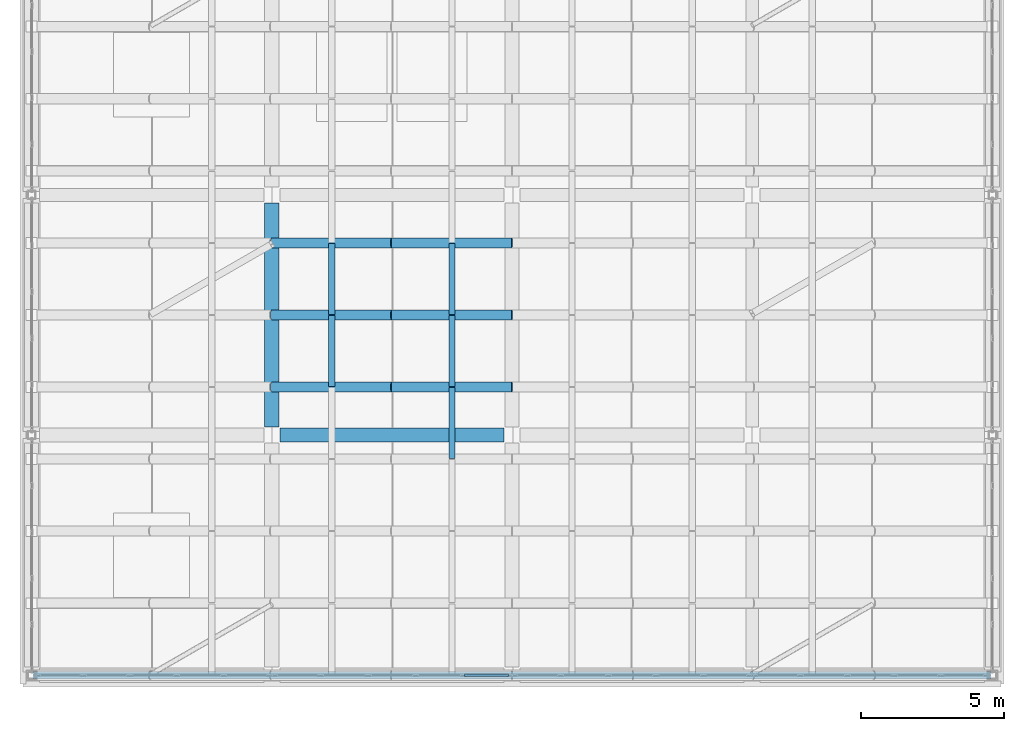
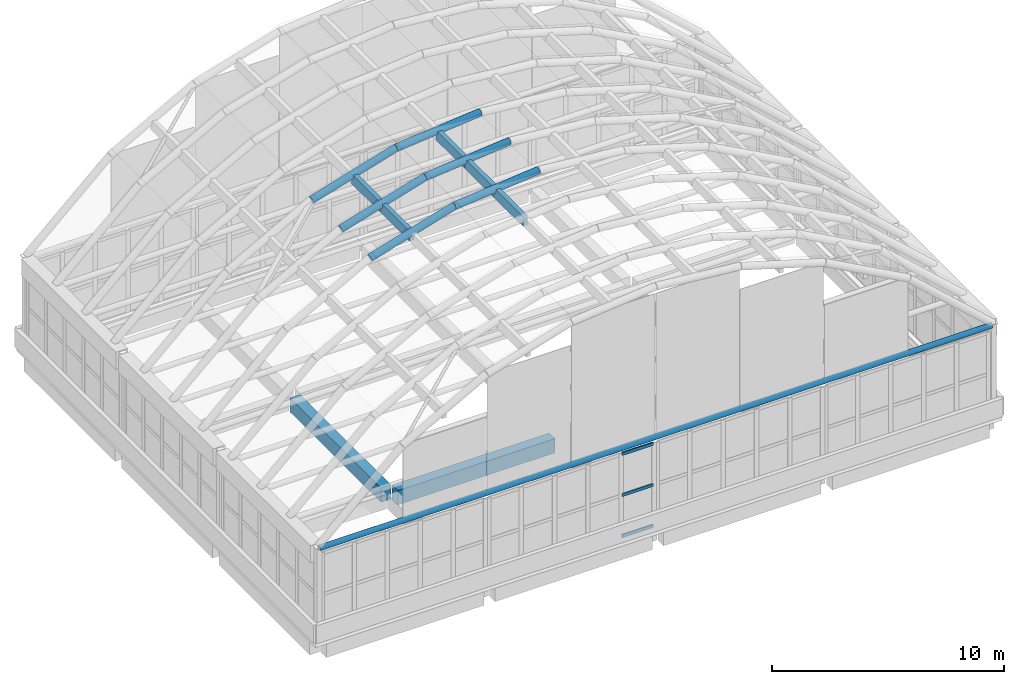
# One storey, part 6 of 26: 9 beams, 8 members, 1 element without a shape of its own.
"""IFC4 building model written with IfcOpenShell, lengths in metres."""

from ifc_helpers import new_model, si_unit, direction, frame, origin, origin_2d, place, context, subcontext, project, spatial, rectangle, hollow_rectangle, hollow_circle, extrude, material, layer, layer_set, material_profile, profile_set, type_object, element, aggregate, save


model = new_model("IFC4")

# Units and contexts
model_context = context("Model", 3, precision=1e-05, world=origin(), true_north=direction((0.0, 1.0)))
body_context = subcontext(model_context, "Body", "Model", "MODEL_VIEW")
ifc_project = project(units=[si_unit("LENGTHUNIT", "METRE"), si_unit("AREAUNIT", "SQUARE_METRE"), si_unit("VOLUMEUNIT", "CUBIC_METRE"), si_unit("PLANEANGLEUNIT", "RADIAN"), si_unit("MASSUNIT", "GRAM", prefix="KILO")], contexts=[model_context])

# Site, building, storey
site_placement = place(None, origin())
site = spatial("IfcSite", under=ifc_project, at=site_placement, CompositionType="ELEMENT")
building_placement = place(site_placement, origin())
building = spatial("IfcBuilding", under=site, at=building_placement, Name="Xazarin Passage Department Store", CompositionType="ELEMENT")
storey_placement = place(building_placement, frame((0.0, 0.0, 36.89990234375)))
storey = spatial("IfcBuildingStorey", under=building, at=storey_placement, Name="RF", CompositionType="ELEMENT", Elevation=36.89990234375)

# Curtain wall, members
ifc_material_1 = material(Name="Bronze anodised aluminium", Category="aluminium")
ifc_layer = layer(ifc_material_1, 0.199951171875)
ifc_layer_set = layer_set([ifc_layer], Name="Bronze anodised aluminium")
curtain_wall_type = type_object("IfcCurtainWallType", Name="ARC-CW-VIT2", PredefinedType="NOTDEFINED", material=ifc_layer_set)
curtain_wall_placement = place(storey_placement, origin())
curtain_wall = element("IfcCurtainWall", 1, at=curtain_wall_placement, inside=storey, type_object=curtain_wall_type, Name="RF V1 Atrium Lantern Curtain Wall 09", PredefinedType="NOTDEFINED")
ifc_material_profile_1 = material_profile(ifc_material_1, hollow_rectangle(XDim=0.074951171875, YDim=0.159912109375, WallThickness=0.00439453125, at=origin_2d()), Name="ALU 75x160")
ifc_profile_set_1 = profile_set([ifc_material_profile_1], Name="Bronze anodised aluminium")
member_type_1 = type_object("IfcMemberType", Name="ARC-CWT-75x160", PredefinedType="USERDEFINED", material=ifc_profile_set_1)
member_1_placement = place(storey_placement, frame((15.133544921875, 76.39990234375, 0.03759765625), z_axis=(1.0, 0.0, 0.0), x_axis=(0.0, 1.0, 0.0)))
member_1 = element("IfcMember", 2, at=member_1_placement, type_object=member_type_1, Name="CW2 transom 5.1", ObjectType="TRANSOM", PredefinedType="USERDEFINED", context=body_context, shape_type="SweptSolid", body=[
    extrude(hollow_rectangle(XDim=0.074951171875, YDim=0.159912109375, WallThickness=0.00439453125, at=origin_2d()), origin(), (0.0, 0.0, 1.0), 1.551513671875),
])
member_2_placement = place(storey_placement, frame((15.133544921875, 76.39990234375, 2.2021484375), z_axis=(1.0, 0.0, 0.0), x_axis=(0.0, 1.0, 0.0)))
member_2 = element("IfcMember", 3, at=member_2_placement, type_object=member_type_1, Name="CW2 transom 5.2", ObjectType="TRANSOM", PredefinedType="USERDEFINED", context=body_context, shape_type="SweptSolid", body=[
    extrude(hollow_rectangle(XDim=0.074951171875, YDim=0.159912109375, WallThickness=0.00439453125, at=origin_2d()), origin(), (0.0, 0.0, 1.0), 1.551513671875),
])
member_3_placement = place(storey_placement, frame((15.133544921875, 76.39990234375, 4.36669921875), z_axis=(1.0, 0.0, 0.0), x_axis=(0.0, 1.0, 0.0)))
member_3 = element("IfcMember", 4, at=member_3_placement, type_object=member_type_1, Name="CW2 transom 5.3", ObjectType="TRANSOM", PredefinedType="USERDEFINED", context=body_context, shape_type="SweptSolid", body=[
    extrude(hollow_rectangle(XDim=0.074951171875, YDim=0.159912109375, WallThickness=0.00439453125, at=origin_2d()), origin(), (0.0, 0.0, 1.0), 1.551513671875),
])
aggregate(curtain_wall, [member_1, member_2, member_3])

# Beams
ifc_material_2 = material(Name="Steel S355", Category="steel")
ifc_material_profile_2 = material_profile(ifc_material_2, hollow_circle(Radius=0.177734375, WallThickness=0.01611328125, at=origin_2d()), Name="CHS 355.6x16")
ifc_profile_set_2 = profile_set([ifc_material_profile_2], Name="Steel S355")
beam_type_1 = type_object("IfcBeamType", Name="STR-BM-AR355", PredefinedType="BEAM", material=ifc_profile_set_2)
beam_1_placement = place(storey_placement, frame((8.39990234375, 86.47998046875, 10.933349609375), z_axis=(0.95770669563, 0.0, 0.287746216561), x_axis=(0.0, 1.0, 0.0)))
element("IfcBeam", 5, at=beam_1_placement, inside=storey, type_object=beam_type_1, Name="V1V Primary Arch Rib 5.3", PredefinedType="BEAM", context=body_context, shape_type="SweptSolid", body=[
    extrude(hollow_circle(Radius=0.177734375, WallThickness=0.01611328125, at=origin_2d()), origin(), (0.0, 0.0, 1.0), 4.3857421875),
])
beam_2_placement = place(storey_placement, frame((12.60009765625, 86.47998046875, 12.1953125), z_axis=(0.995387696044, 0.0, 0.095934011512), x_axis=(0.0, 1.0, 0.0)))
element("IfcBeam", 6, at=beam_2_placement, inside=storey, type_object=beam_type_1, Name="V1V Primary Arch Rib 5.4", PredefinedType="BEAM", context=body_context, shape_type="SweptSolid", body=[
    extrude(hollow_circle(Radius=0.177734375, WallThickness=0.01611328125, at=origin_2d()), origin(), (0.0, 0.0, 1.0), 4.219482421875),
])
beam_3_placement = place(storey_placement, frame((8.39990234375, 89.0, 10.933349609375), z_axis=(0.95770669563, 0.0, 0.287746216561), x_axis=(0.0, 1.0, 0.0)))
element("IfcBeam", 7, at=beam_3_placement, inside=storey, type_object=beam_type_1, Name="V1V Primary Arch Rib 6.3", PredefinedType="BEAM", context=body_context, shape_type="SweptSolid", body=[
    extrude(hollow_circle(Radius=0.177734375, WallThickness=0.01611328125, at=origin_2d()), origin(), (0.0, 0.0, 1.0), 4.3857421875),
])
beam_4_placement = place(storey_placement, frame((12.60009765625, 89.0, 12.1953125), z_axis=(0.995387696044, 0.0, 0.095934011512), x_axis=(0.0, 1.0, 0.0)))
element("IfcBeam", 8, at=beam_4_placement, inside=storey, type_object=beam_type_1, Name="V1V Primary Arch Rib 6.4", PredefinedType="BEAM", context=body_context, shape_type="SweptSolid", body=[
    extrude(hollow_circle(Radius=0.177734375, WallThickness=0.01611328125, at=origin_2d()), origin(), (0.0, 0.0, 1.0), 4.219482421875),
])
beam_5_placement = place(storey_placement, frame((8.39990234375, 91.52001953125, 10.933349609375), z_axis=(0.95770669563, 0.0, 0.287746216561), x_axis=(0.0, 1.0, 0.0)))
element("IfcBeam", 9, at=beam_5_placement, inside=storey, type_object=beam_type_1, Name="V1V Primary Arch Rib 7.3", PredefinedType="BEAM", context=body_context, shape_type="SweptSolid", body=[
    extrude(hollow_circle(Radius=0.177734375, WallThickness=0.01611328125, at=origin_2d()), origin(), (0.0, 0.0, 1.0), 4.3857421875),
])
beam_6_placement = place(storey_placement, frame((12.60009765625, 91.52001953125, 12.1953125), z_axis=(0.995387696044, 0.0, 0.095934011512), x_axis=(0.0, 1.0, 0.0)))
element("IfcBeam", 10, at=beam_6_placement, inside=storey, type_object=beam_type_1, Name="V1V Primary Arch Rib 7.4", PredefinedType="BEAM", context=body_context, shape_type="SweptSolid", body=[
    extrude(hollow_circle(Radius=0.177734375, WallThickness=0.01611328125, at=origin_2d()), origin(), (0.0, 0.0, 1.0), 4.219482421875),
])
ifc_material_3 = material(Name="Concrete C35/45", Category="concrete")
ifc_material_profile_3 = material_profile(ifc_material_3, rectangle(XDim=0.5, YDim=0.75, at=origin_2d()), Name="RC 500x750")
ifc_profile_set_3 = profile_set([ifc_material_profile_3], Name="Concrete C35/45")
beam_type_2 = type_object("IfcBeamType", Name="STR-BM-SP500x750", PredefinedType="SPANDREL", material=ifc_profile_set_3)
beam_7_placement = place(storey_placement, frame((8.679931640625, 84.800048828125, -0.635009765625), z_axis=(1.0, 0.0, 0.0), x_axis=(0.0, 1.0, 0.0)))
element("IfcBeam", 11, at=beam_7_placement, inside=storey, type_object=beam_type_2, Name="RF Grid Beam M/2-3", PredefinedType="SPANDREL", context=body_context, shape_type="SweptSolid", body=[
    extrude(rectangle(XDim=0.5, YDim=0.75, at=origin_2d()), origin(), (0.0, 0.0, 1.0), 7.840087890625),
])
beam_8_placement = place(storey_placement, frame((8.39990234375, 85.080078125, -0.635009765625), z_axis=(0.0, 1.0, 0.0), x_axis=(-1.0, 0.0, 0.0)))
element("IfcBeam", 12, at=beam_8_placement, inside=storey, type_object=beam_type_2, Name="RF Grid Beam 2/M-N", PredefinedType="SPANDREL", context=body_context, shape_type="SweptSolid", body=[
    extrude(rectangle(XDim=0.5, YDim=0.75, at=origin_2d()), origin(), (0.0, 0.0, 1.0), 7.83984375),
])
ifc_material_profile_4 = material_profile(ifc_material_2, hollow_circle(Radius=0.136474609375, WallThickness=0.012451171875, at=origin_2d()), Name="CHS 273x12.5")
ifc_profile_set_4 = profile_set([ifc_material_profile_4], Name="Steel S355")
beam_type_3 = type_object("IfcBeamType", Name="STR-BM-TIE273", PredefinedType="BEAM", material=ifc_profile_set_4)
beam_9_placement = place(storey_placement, frame((0.050048828125, 76.39990234375, 4.684326171875), z_axis=(1.0, 0.0, 0.0), x_axis=(0.0, 1.0, 0.0)))
element("IfcBeam", 13, at=beam_9_placement, inside=storey, type_object=beam_type_3, Name="V1V Arch Tie Beam 1", PredefinedType="BEAM", context=body_context, shape_type="SweptSolid", body=[
    extrude(hollow_circle(Radius=0.136474609375, WallThickness=0.012451171875, at=origin_2d()), origin(), (0.0, 0.0, 1.0), 33.5),
])

# Members
ifc_material_4 = material(Name="Glulam GL28h", Category="wood")
ifc_material_profile_5 = material_profile(ifc_material_4, rectangle(XDim=0.219970703125, YDim=0.52001953125, at=origin_2d()), Name="GL28h 220x520")
ifc_profile_set_5 = profile_set([ifc_material_profile_5], Name="Glulam GL28h")
member_type_2 = type_object("IfcMemberType", Name="STR-MEM-GL520", PredefinedType="PURLIN", material=ifc_profile_set_5)
for number, where, z_axis, x_axis, name in (
    (14, (14.699951171875, 83.97998046875, 12.195556640625), (0.0, 1.0, 0.0), (-1.0, 0.0, 0.0), "V1V Glulam Gridshell Purlin 4.4"),
    (15, (10.5, 86.5, 11.3623046875), (0.0, 1.0, 0.0), (-1.0, 0.0, 0.0), "V1V Glulam Gridshell Purlin 5.3"),
    (16, (14.699951171875, 86.5, 12.195556640625), (0.0, 1.0, 0.0), (-1.0, 0.0, 0.0), "V1V Glulam Gridshell Purlin 5.4"),
    (17, (10.5, 89.02001953125, 11.3623046875), (0.0, 1.0, 0.0), (-1.0, 0.0, 0.0), "V1V Glulam Gridshell Purlin 6.3"),
    (18, (14.699951171875, 89.02001953125, 12.195556640625), (0.0, 1.0, 0.0), (-1.0, 0.0, 0.0), "V1V Glulam Gridshell Purlin 6.4"),
):
    element("IfcMember", number, at=place(storey_placement, frame(where, z_axis=z_axis, x_axis=x_axis)), inside=storey, type_object=member_type_2, Name=name, PredefinedType="PURLIN", context=body_context, shape_type="SweptSolid", body=[
        extrude(rectangle(XDim=0.219970703125, YDim=0.52001953125, at=origin_2d()), origin(), (0.0, 0.0, 1.0), 2.47998046875),
    ])

save(model, "model.ifc")
